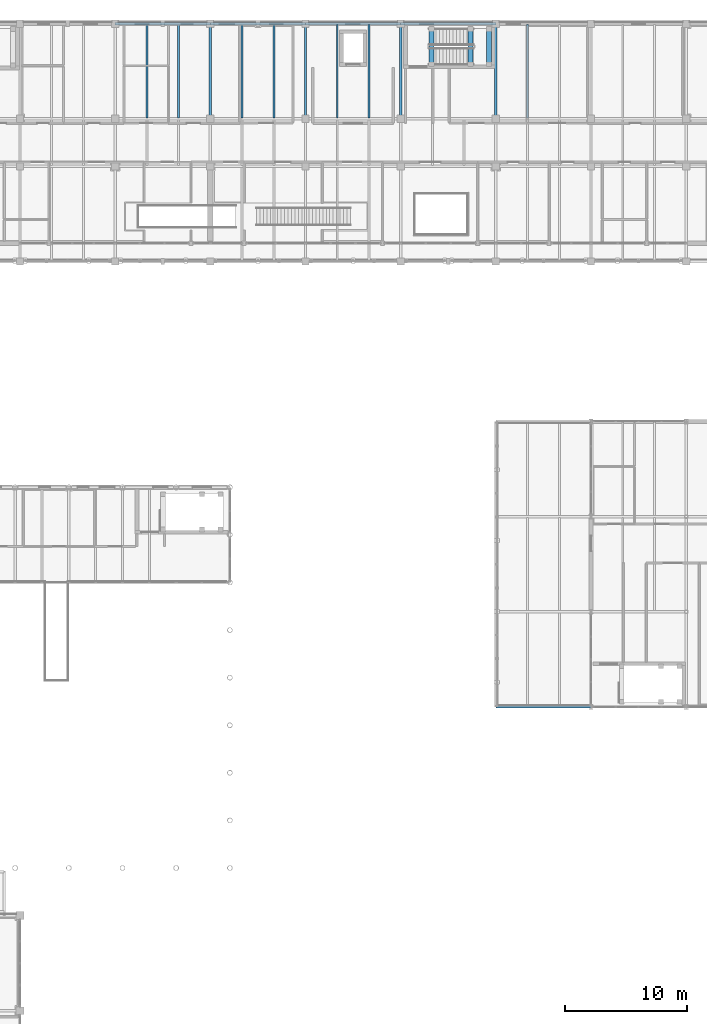
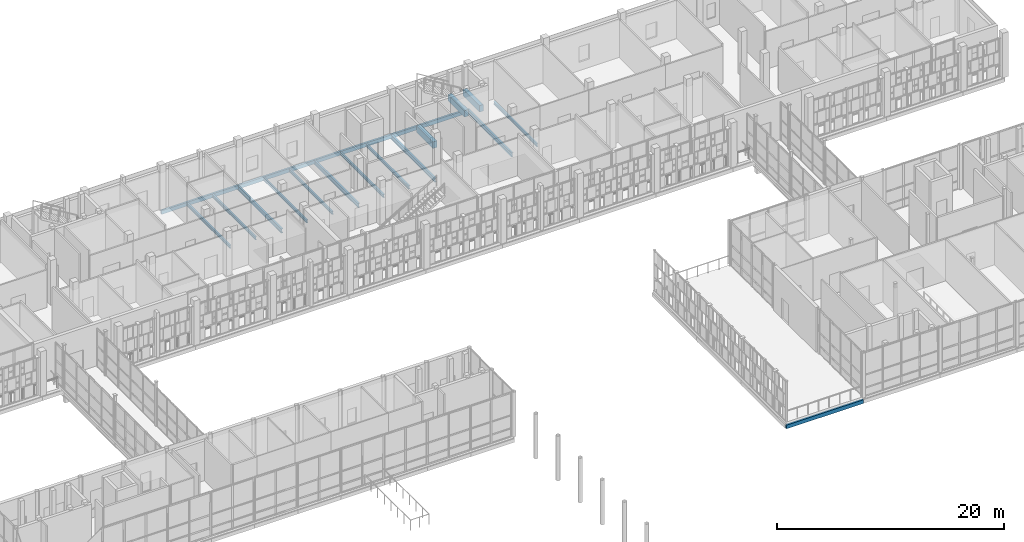
# One storey, part 62 of 138: 19 beams.
"""IFC4 building model written with IfcOpenShell, lengths in metres."""

from ifc_helpers import new_model, si_unit, direction, frame, origin, origin_2d, place, context, subcontext, project, spatial, rectangle, hollow_rectangle, i_section, extrude, material, material_profile, profile_set, type_object, element, save


model = new_model("IFC4")

# Units and contexts
model_context = context("Model", 3, precision=1e-05, world=origin(), true_north=direction((0.0, 1.0)))
body_context = subcontext(model_context, "Body", "Model", "MODEL_VIEW")
ifc_project = project(units=[si_unit("LENGTHUNIT", "METRE"), si_unit("AREAUNIT", "SQUARE_METRE"), si_unit("VOLUMEUNIT", "CUBIC_METRE"), si_unit("PLANEANGLEUNIT", "RADIAN"), si_unit("MASSUNIT", "GRAM", prefix="KILO")], contexts=[model_context])

# Site, building, storey
site_placement = place(None, origin())
site = spatial("IfcSite", under=ifc_project, at=site_placement, CompositionType="ELEMENT")
building_placement = place(site_placement, origin())
building = spatial("IfcBuilding", under=site, at=building_placement, Name="Celorna Specialist Clinic", CompositionType="ELEMENT")
storey_placement = place(building_placement, frame((0.0, 0.0, 4.800048828125)))
storey = spatial("IfcBuildingStorey", under=building, at=storey_placement, Name="L01", CompositionType="ELEMENT", Elevation=4.800048828125)

# Beams
ifc_material_1 = material(Name="Steel S355", Category="steel")
ifc_material_profile_1 = material_profile(ifc_material_1, i_section(OverallWidth=0.18994140625, OverallDepth=0.449951171875, WebThickness=0.009521484375, FlangeThickness=0.0146484375, at=origin_2d()), Name="IPE 450")
ifc_profile_set_1 = profile_set([ifc_material_profile_1], Name="Steel S355")
beam_type_1 = type_object("IfcBeamType", Name="BM-09", PredefinedType="BEAM", material=ifc_profile_set_1)
for number, where, z_axis, x_axis, name in (
    (1, (101.39990234375, 108.199951171875, -0.485107421875), (0.0, 1.0, 0.0), (-1.0, 0.0, 0.0), "Transverse girder BM-09 #955"),
    (2, (109.199951171875, 108.199951171875, -0.485107421875), (0.0, 1.0, 0.0), (-1.0, 0.0, 0.0), "Transverse girder BM-09 #958"),
    (3, (117.0, 108.199951171875, -0.485107421875), (0.0, 1.0, 0.0), (-1.0, 0.0, 0.0), "Transverse girder BM-09 #961"),
    (4, (124.800048828125, 108.199951171875, -0.485107421875), (0.0, 1.0, 0.0), (-1.0, 0.0, 0.0), "Transverse girder BM-09 #964"),
):
    element("IfcBeam", number, at=place(storey_placement, frame(where, z_axis=z_axis, x_axis=x_axis)), inside=storey, type_object=beam_type_1, Name=name, PredefinedType="BEAM", context=body_context, shape_type="SweptSolid", body=[
        extrude(i_section(OverallWidth=0.18994140625, OverallDepth=0.449951171875, WebThickness=0.009521484375, FlangeThickness=0.0146484375, at=origin_2d()), origin(), (0.0, 0.0, 1.0), 7.800048828125),
    ])
ifc_material_profile_2 = material_profile(ifc_material_1, i_section(OverallWidth=0.159912109375, OverallDepth=0.330078125, WebThickness=0.007568359375, FlangeThickness=0.011474609375, at=origin_2d()), Name="IPE 330")
ifc_profile_set_2 = profile_set([ifc_material_profile_2], Name="Steel S355")
beam_type_2 = type_object("IfcBeamType", Name="BM-12", PredefinedType="JOIST", material=ifc_profile_set_2)
for number, where, z_axis, x_axis, name in (
    (5, (96.199951171875, 108.2880859375, -0.425048828125), (0.0, 1.0, 0.0), (-1.0, 0.0, 0.0), "Secondary floor joist BM-12 #1017"),
    (6, (98.800048828125, 108.2880859375, -0.425048828125), (0.0, 1.0, 0.0), (-1.0, 0.0, 0.0), "Secondary floor joist BM-12 #1018"),
    (7, (104.0, 108.2880859375, -0.425048828125), (0.0, 1.0, 0.0), (-1.0, 0.0, 0.0), "Secondary floor joist BM-12 #1023"),
    (8, (106.60009765625, 108.2880859375, -0.425048828125), (0.0, 1.0, 0.0), (-1.0, 0.0, 0.0), "Secondary floor joist BM-12 #1024"),
    (9, (111.800048828125, 108.2880859375, -0.425048828125), (0.0, 1.0, 0.0), (-1.0, 0.0, 0.0), "Secondary floor joist BM-12 #1029"),
    (10, (114.39990234375, 108.2880859375, -0.425048828125), (0.0, 1.0, 0.0), (-1.0, 0.0, 0.0), "Secondary floor joist BM-12 #1030"),
    (11, (127.39990234375, 108.2880859375, -0.425048828125), (0.0, 1.0, 0.0), (-1.0, 0.0, 0.0), "Secondary floor joist BM-12 #1037"),
):
    element("IfcBeam", number, at=place(storey_placement, frame(where, z_axis=z_axis, x_axis=x_axis)), inside=storey, type_object=beam_type_2, Name=name, PredefinedType="JOIST", context=body_context, shape_type="SweptSolid", body=[
        extrude(i_section(OverallWidth=0.159912109375, OverallDepth=0.330078125, WebThickness=0.007568359375, FlangeThickness=0.011474609375, at=origin_2d()), origin(), (0.0, 0.0, 1.0), 7.6240234375),
    ])
ifc_material_profile_3 = material_profile(ifc_material_1, hollow_rectangle(XDim=0.199951171875, YDim=0.39990234375, WallThickness=0.011962890625, at=origin_2d()), Name="RHS 200x400x12")
ifc_profile_set_3 = profile_set([ifc_material_profile_3], Name="Steel S355")
beam_type_3 = type_object("IfcBeamType", Name="BM-15", PredefinedType="SPANDREL", material=ifc_profile_set_3)
beam_placement = place(storey_placement, frame((93.60009765625, 116.0, -0.4599609375), z_axis=(1.0, 0.0, 0.0), x_axis=(0.0, 1.0, 0.0)))
element("IfcBeam", 12, at=beam_placement, inside=storey, type_object=beam_type_3, Name="Spandrel beam BM-15 #923", PredefinedType="SPANDREL", context=body_context, shape_type="SweptSolid", body=[
    extrude(hollow_rectangle(XDim=0.199951171875, YDim=0.39990234375, WallThickness=0.011962890625, at=origin_2d()), origin(), (0.0, 0.0, 1.0), 7.7998046875),
])
for number, where, z_axis, x_axis, name in (
    (13, (101.39990234375, 116.0, -0.4599609375), (1.0, 0.0, 0.0), (0.0, 1.0, 0.0), "Spandrel beam BM-15 #924"),
    (14, (109.199951171875, 116.0, -0.4599609375), (1.0, 0.0, 0.0), (0.0, 1.0, 0.0), "Spandrel beam BM-15 #925"),
    (15, (117.0, 116.0, -0.4599609375), (1.0, 0.0, 0.0), (0.0, 1.0, 0.0), "Spandrel beam BM-15 #926"),
    (16, (124.800048828125, 60.0, -0.4599609375), (1.0, 0.0, 0.0), (0.0, 1.0, 0.0), "Spandrel beam BM-15 #2234"),
):
    element("IfcBeam", number, at=place(storey_placement, frame(where, z_axis=z_axis, x_axis=x_axis)), inside=storey, type_object=beam_type_3, Name=name, PredefinedType="SPANDREL", context=body_context, shape_type="SweptSolid", body=[
        extrude(hollow_rectangle(XDim=0.199951171875, YDim=0.39990234375, WallThickness=0.011962890625, at=origin_2d()), origin(), (0.0, 0.0, 1.0), 7.800048828125),
    ])
ifc_material_2 = material(Name="Concrete C35/45", Category="concrete")
ifc_material_profile_4 = material_profile(ifc_material_2, rectangle(XDim=0.39990234375, YDim=0.699951171875, at=origin_2d()), Name="RC 400x700")
ifc_profile_set_4 = profile_set([ifc_material_profile_4], Name="Concrete C35/45")
beam_type_4 = type_object("IfcBeamType", Name="BM-19", PredefinedType="BEAM", material=ifc_profile_set_4)
for number, where, z_axis, x_axis, name in (
    (17, (119.52001953125, 112.669921875, -0.275146484375), (0.0, 1.0, 0.0), (-1.0, 0.0, 0.0), "Stair ST-03 floor landing trimmer beam L01"),
    (18, (122.719970703125, 112.669921875, 1.974853515625), (0.0, 1.0, 0.0), (-1.0, 0.0, 0.0), "Stair ST-03 half-landing beam L01"),
    (19, (124.239990234375, 112.669921875, 1.974853515625), (0.0, 1.0, 0.0), (-1.0, 0.0, 0.0), "Stair ST-03 half-landing beam L01"),
):
    element("IfcBeam", number, at=place(storey_placement, frame(where, z_axis=z_axis, x_axis=x_axis)), inside=storey, type_object=beam_type_4, Name=name, PredefinedType="BEAM", context=body_context, shape_type="SweptSolid", body=[
        extrude(rectangle(XDim=0.39990234375, YDim=0.699951171875, at=origin_2d()), origin(), (0.0, 0.0, 1.0), 2.900146484375),
    ])

save(model, "model.ifc")
